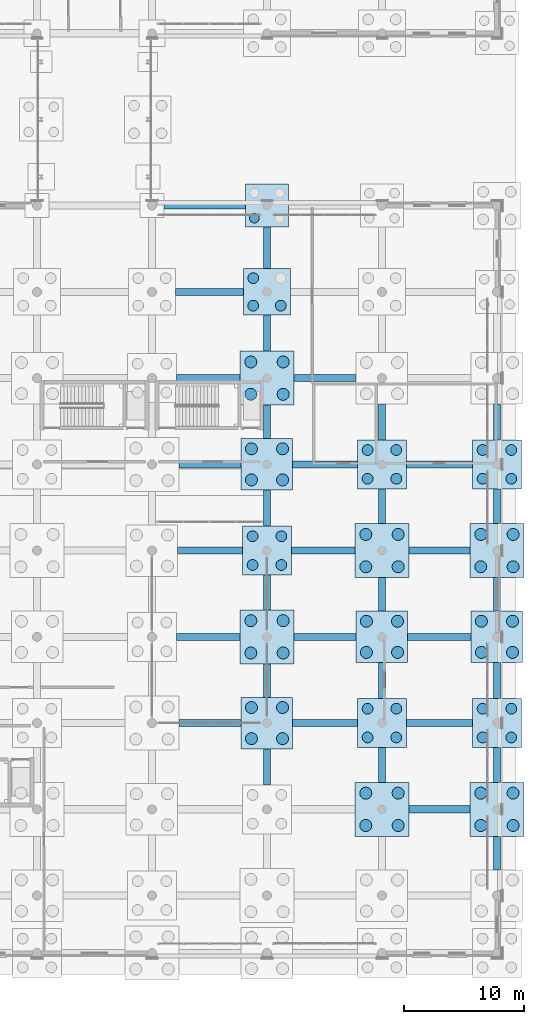
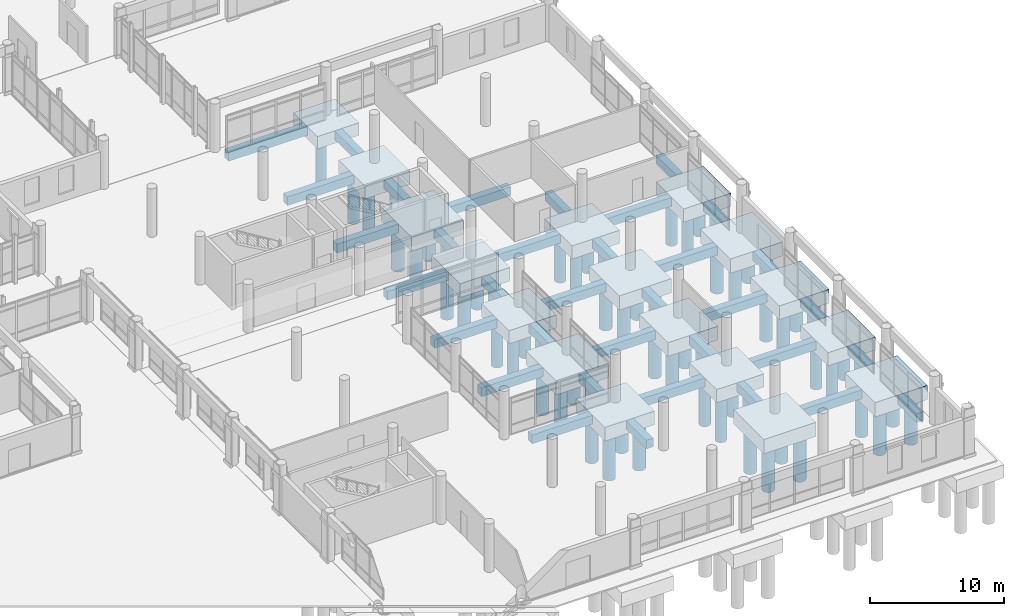
# One storey, part 8 of 196: 64 piles, 52 footings.
"""IFC4 building model written with IfcOpenShell, lengths in metres."""

from ifc_helpers import new_model, si_unit, direction, frame, origin, origin_2d, place, context, subcontext, project, spatial, rectangle, circle, extrude, material, material_profile, profile_set, type_object, element, save


model = new_model("IFC4")

# Units and contexts
model_context = context("Model", 3, precision=1e-05, world=origin(), true_north=direction((0.0, 1.0)))
body_context = subcontext(model_context, "Body", "Model", "MODEL_VIEW")
ifc_project = project(units=[si_unit("LENGTHUNIT", "METRE"), si_unit("AREAUNIT", "SQUARE_METRE"), si_unit("VOLUMEUNIT", "CUBIC_METRE"), si_unit("PLANEANGLEUNIT", "RADIAN"), si_unit("MASSUNIT", "GRAM", prefix="KILO")], contexts=[model_context])

# Site, building, storey
site_placement = place(None, origin())
site = spatial("IfcSite", under=ifc_project, at=site_placement, CompositionType="ELEMENT")
building_placement = place(site_placement, origin())
building = spatial("IfcBuilding", under=site, at=building_placement, Name="Asteropetra Specialist Clinic", CompositionType="ELEMENT")
storey_placement = place(building_placement, origin())
storey = spatial("IfcBuildingStorey", under=building, at=storey_placement, Name="L00", CompositionType="ELEMENT", Elevation=0.0)

# Footings
ifc_material_1 = material(Name="Concrete C35/45", Category="concrete")
ifc_material_profile_1 = material_profile(ifc_material_1, rectangle(XDim=0.60009765625, YDim=0.800048828125, at=origin_2d()), Name="FB 600x800")
ifc_profile_set_1 = profile_set([ifc_material_profile_1], Name="Concrete C35/45")
footing_type_1 = type_object("IfcFootingType", Name="FB-600x800", PredefinedType="FOOTING_BEAM", material=ifc_profile_set_1)
footing_1_placement = place(storey_placement, frame((127.050048828125, 19.199951171875, -0.840087890625), z_axis=(1.0, 0.0, 0.0), x_axis=(0.0, 1.0, 0.0)))
element("IfcFooting", 1, at=footing_1_placement, inside=storey, type_object=footing_type_1, Name="Footing Tie Beam FB-0350", PredefinedType="FOOTING_BEAM", context=body_context, shape_type="SweptSolid", body=[
    extrude(rectangle(XDim=0.60009765625, YDim=0.800048828125, at=origin_2d()), origin(), (0.0, 0.0, 1.0), 5.199951171875),
])
footing_2_placement = place(storey_placement, frame((126.85009765625, 26.39990234375, -0.840087890625), z_axis=(1.0, 0.0, 0.0), x_axis=(0.0, 1.0, 0.0)))
element("IfcFooting", 2, at=footing_2_placement, inside=storey, type_object=footing_type_1, Name="Footing Tie Beam FB-0352", PredefinedType="FOOTING_BEAM", context=body_context, shape_type="SweptSolid", body=[
    extrude(rectangle(XDim=0.60009765625, YDim=0.800048828125, at=origin_2d()), origin(), (0.0, 0.0, 1.0), 5.2998046875),
])
footing_3_placement = place(storey_placement, frame((126.949951171875, 33.60009765625, -0.840087890625), z_axis=(1.0, 0.0, 0.0), x_axis=(0.0, 1.0, 0.0)))
element("IfcFooting", 3, at=footing_3_placement, inside=storey, type_object=footing_type_1, Name="Footing Tie Beam FB-0354", PredefinedType="FOOTING_BEAM", context=body_context, shape_type="SweptSolid", body=[
    extrude(rectangle(XDim=0.60009765625, YDim=0.800048828125, at=origin_2d()), origin(), (0.0, 0.0, 1.0), 5.400146484375),
])
footing_4_placement = place(storey_placement, frame((127.050048828125, 40.800048828125, -0.840087890625), z_axis=(1.0, 0.0, 0.0), x_axis=(0.0, 1.0, 0.0)))
element("IfcFooting", 4, at=footing_4_placement, inside=storey, type_object=footing_type_1, Name="Footing Tie Beam FB-0356", PredefinedType="FOOTING_BEAM", context=body_context, shape_type="SweptSolid", body=[
    extrude(rectangle(XDim=0.60009765625, YDim=0.800048828125, at=origin_2d()), origin(), (0.0, 0.0, 1.0), 5.199951171875),
])
footing_5_placement = place(storey_placement, frame((126.85009765625, 48.0, -0.840087890625), z_axis=(1.0, 0.0, 0.0), x_axis=(0.0, 1.0, 0.0)))
element("IfcFooting", 5, at=footing_5_placement, inside=storey, type_object=footing_type_1, Name="Footing Tie Beam FB-0358", PredefinedType="FOOTING_BEAM", context=body_context, shape_type="SweptSolid", body=[
    extrude(rectangle(XDim=0.60009765625, YDim=0.800048828125, at=origin_2d()), origin(), (0.0, 0.0, 1.0), 5.2998046875),
])
footing_6_placement = place(storey_placement, frame((126.75, 55.199951171875, -0.840087890625), z_axis=(1.0, 0.0, 0.0), x_axis=(0.0, 1.0, 0.0)))
element("IfcFooting", 6, at=footing_6_placement, inside=storey, type_object=footing_type_1, Name="Footing Tie Beam FB-0360", PredefinedType="FOOTING_BEAM", context=body_context, shape_type="SweptSolid", body=[
    extrude(rectangle(XDim=0.60009765625, YDim=0.800048828125, at=origin_2d()), origin(), (0.0, 0.0, 1.0), 5.699951171875),
])
footing_7_placement = place(storey_placement, frame((125.800048828125, 62.39990234375, -0.840087890625), z_axis=(1.0, 0.0, 0.0), x_axis=(0.0, 1.0, 0.0)))
element("IfcFooting", 7, at=footing_7_placement, inside=storey, type_object=footing_type_1, Name="Footing Tie Beam FB-0362", PredefinedType="FOOTING_BEAM", context=body_context, shape_type="SweptSolid", body=[
    extrude(rectangle(XDim=0.60009765625, YDim=0.800048828125, at=origin_2d()), origin(), (0.0, 0.0, 1.0), 6.800048828125),
])
footing_8_placement = place(storey_placement, frame((134.39990234375, 14.050048828125, -0.840087890625), z_axis=(0.0, 1.0, 0.0), x_axis=(-1.0, 0.0, 0.0)))
element("IfcFooting", 8, at=footing_8_placement, inside=storey, type_object=footing_type_1, Name="Footing Tie Beam FB-0373", PredefinedType="FOOTING_BEAM", context=body_context, shape_type="SweptSolid", body=[
    extrude(rectangle(XDim=0.60009765625, YDim=0.800048828125, at=origin_2d()), origin(), (0.0, 0.0, 1.0), 3.0),
])
footing_9_placement = place(storey_placement, frame((136.550048828125, 19.199951171875, -0.840087890625), z_axis=(1.0, 0.0, 0.0), x_axis=(0.0, 1.0, 0.0)))
element("IfcFooting", 9, at=footing_9_placement, inside=storey, type_object=footing_type_1, Name="Footing Tie Beam FB-0374", PredefinedType="FOOTING_BEAM", context=body_context, shape_type="SweptSolid", body=[
    extrude(rectangle(XDim=0.60009765625, YDim=0.800048828125, at=origin_2d()), origin(), (0.0, 0.0, 1.0), 5.39990234375),
])
footing_10_placement = place(storey_placement, frame((134.39990234375, 21.35009765625, -0.840087890625), z_axis=(0.0, 1.0, 0.0), x_axis=(-1.0, 0.0, 0.0)))
element("IfcFooting", 10, at=footing_10_placement, inside=storey, type_object=footing_type_1, Name="Footing Tie Beam FB-0375", PredefinedType="FOOTING_BEAM", context=body_context, shape_type="SweptSolid", body=[
    extrude(rectangle(XDim=0.60009765625, YDim=0.800048828125, at=origin_2d()), origin(), (0.0, 0.0, 1.0), 2.7998046875),
])
footing_11_placement = place(storey_placement, frame((136.64990234375, 26.39990234375, -0.840087890625), z_axis=(1.0, 0.0, 0.0), x_axis=(0.0, 1.0, 0.0)))
element("IfcFooting", 11, at=footing_11_placement, inside=storey, type_object=footing_type_1, Name="Footing Tie Beam FB-0376", PredefinedType="FOOTING_BEAM", context=body_context, shape_type="SweptSolid", body=[
    extrude(rectangle(XDim=0.60009765625, YDim=0.800048828125, at=origin_2d()), origin(), (0.0, 0.0, 1.0), 5.2001953125),
])
footing_12_placement = place(storey_placement, frame((134.39990234375, 28.64990234375, -0.840087890625), z_axis=(0.0, 1.0, 0.0), x_axis=(-1.0, 0.0, 0.0)))
element("IfcFooting", 12, at=footing_12_placement, inside=storey, type_object=footing_type_1, Name="Footing Tie Beam FB-0377", PredefinedType="FOOTING_BEAM", context=body_context, shape_type="SweptSolid", body=[
    extrude(rectangle(XDim=0.60009765625, YDim=0.800048828125, at=origin_2d()), origin(), (0.0, 0.0, 1.0), 2.900146484375),
])
footing_13_placement = place(storey_placement, frame((136.449951171875, 33.60009765625, -0.840087890625), z_axis=(1.0, 0.0, 0.0), x_axis=(0.0, 1.0, 0.0)))
element("IfcFooting", 13, at=footing_13_placement, inside=storey, type_object=footing_type_1, Name="Footing Tie Beam FB-0378", PredefinedType="FOOTING_BEAM", context=body_context, shape_type="SweptSolid", body=[
    extrude(rectangle(XDim=0.60009765625, YDim=0.800048828125, at=origin_2d()), origin(), (0.0, 0.0, 1.0), 5.300048828125),
])
footing_14_placement = place(storey_placement, frame((134.39990234375, 35.64990234375, -0.840087890625), z_axis=(0.0, 1.0, 0.0), x_axis=(-1.0, 0.0, 0.0)))
element("IfcFooting", 14, at=footing_14_placement, inside=storey, type_object=footing_type_1, Name="Footing Tie Beam FB-0379", PredefinedType="FOOTING_BEAM", context=body_context, shape_type="SweptSolid", body=[
    extrude(rectangle(XDim=0.60009765625, YDim=0.800048828125, at=origin_2d()), origin(), (0.0, 0.0, 1.0), 3.0),
])
footing_15_placement = place(storey_placement, frame((136.550048828125, 40.800048828125, -0.840087890625), z_axis=(1.0, 0.0, 0.0), x_axis=(0.0, 1.0, 0.0)))
element("IfcFooting", 15, at=footing_15_placement, inside=storey, type_object=footing_type_1, Name="Footing Tie Beam FB-0380", PredefinedType="FOOTING_BEAM", context=body_context, shape_type="SweptSolid", body=[
    extrude(rectangle(XDim=0.60009765625, YDim=0.800048828125, at=origin_2d()), origin(), (0.0, 0.0, 1.0), 5.39990234375),
])
footing_16_placement = place(storey_placement, frame((134.39990234375, 42.949951171875, -0.840087890625), z_axis=(0.0, 1.0, 0.0), x_axis=(-1.0, 0.0, 0.0)))
element("IfcFooting", 16, at=footing_16_placement, inside=storey, type_object=footing_type_1, Name="Footing Tie Beam FB-0381", PredefinedType="FOOTING_BEAM", context=body_context, shape_type="SweptSolid", body=[
    extrude(rectangle(XDim=0.60009765625, YDim=0.800048828125, at=origin_2d()), origin(), (0.0, 0.0, 1.0), 2.800048828125),
])
footing_17_placement = place(storey_placement, frame((136.64990234375, 48.0, -0.840087890625), z_axis=(1.0, 0.0, 0.0), x_axis=(0.0, 1.0, 0.0)))
element("IfcFooting", 17, at=footing_17_placement, inside=storey, type_object=footing_type_1, Name="Footing Tie Beam FB-0382", PredefinedType="FOOTING_BEAM", context=body_context, shape_type="SweptSolid", body=[
    extrude(rectangle(XDim=0.60009765625, YDim=0.800048828125, at=origin_2d()), origin(), (0.0, 0.0, 1.0), 5.2001953125),
])
footing_18_placement = place(storey_placement, frame((134.39990234375, 50.25, -0.840087890625), z_axis=(0.0, 1.0, 0.0), x_axis=(-1.0, 0.0, 0.0)))
element("IfcFooting", 18, at=footing_18_placement, inside=storey, type_object=footing_type_1, Name="Footing Tie Beam FB-0383", PredefinedType="FOOTING_BEAM", context=body_context, shape_type="SweptSolid", body=[
    extrude(rectangle(XDim=0.60009765625, YDim=0.800048828125, at=origin_2d()), origin(), (0.0, 0.0, 1.0), 3.0),
])
footing_19_placement = place(storey_placement, frame((134.39990234375, 57.14990234375, -0.840087890625), z_axis=(0.0, 1.0, 0.0), x_axis=(-1.0, 0.0, 0.0)))
element("IfcFooting", 19, at=footing_19_placement, inside=storey, type_object=footing_type_1, Name="Footing Tie Beam FB-0385", PredefinedType="FOOTING_BEAM", context=body_context, shape_type="SweptSolid", body=[
    extrude(rectangle(XDim=0.60009765625, YDim=0.800048828125, at=origin_2d()), origin(), (0.0, 0.0, 1.0), 3.4501953125),
])
footing_20_placement = place(storey_placement, frame((146.25, 12.0, -0.840087890625), z_axis=(1.0, 0.0, 0.0), x_axis=(0.0, 1.0, 0.0)))
element("IfcFooting", 20, at=footing_20_placement, inside=storey, type_object=footing_type_1, Name="Footing Tie Beam FB-0396", PredefinedType="FOOTING_BEAM", context=body_context, shape_type="SweptSolid", body=[
    extrude(rectangle(XDim=0.60009765625, YDim=0.800048828125, at=origin_2d()), origin(), (0.0, 0.0, 1.0), 5.10009765625),
])
footing_21_placement = place(storey_placement, frame((144.0, 14.25, -0.840087890625), z_axis=(0.0, 1.0, 0.0), x_axis=(-1.0, 0.0, 0.0)))
element("IfcFooting", 21, at=footing_21_placement, inside=storey, type_object=footing_type_1, Name="Footing Tie Beam FB-0397", PredefinedType="FOOTING_BEAM", context=body_context, shape_type="SweptSolid", body=[
    extrude(rectangle(XDim=0.60009765625, YDim=0.800048828125, at=origin_2d()), origin(), (0.0, 0.0, 1.0), 2.89990234375),
])
footing_22_placement = place(storey_placement, frame((146.050048828125, 19.199951171875, -0.840087890625), z_axis=(1.0, 0.0, 0.0), x_axis=(0.0, 1.0, 0.0)))
element("IfcFooting", 22, at=footing_22_placement, inside=storey, type_object=footing_type_1, Name="Footing Tie Beam FB-0398", PredefinedType="FOOTING_BEAM", context=body_context, shape_type="SweptSolid", body=[
    extrude(rectangle(XDim=0.60009765625, YDim=0.800048828125, at=origin_2d()), origin(), (0.0, 0.0, 1.0), 5.5),
])
footing_23_placement = place(storey_placement, frame((144.0, 21.25, -0.840087890625), z_axis=(0.0, 1.0, 0.0), x_axis=(-1.0, 0.0, 0.0)))
element("IfcFooting", 23, at=footing_23_placement, inside=storey, type_object=footing_type_1, Name="Footing Tie Beam FB-0399", PredefinedType="FOOTING_BEAM", context=body_context, shape_type="SweptSolid", body=[
    extrude(rectangle(XDim=0.60009765625, YDim=0.800048828125, at=origin_2d()), origin(), (0.0, 0.0, 1.0), 3.0),
])
footing_24_placement = place(storey_placement, frame((146.14990234375, 26.39990234375, -0.840087890625), z_axis=(1.0, 0.0, 0.0), x_axis=(0.0, 1.0, 0.0)))
element("IfcFooting", 24, at=footing_24_placement, inside=storey, type_object=footing_type_1, Name="Footing Tie Beam FB-0400", PredefinedType="FOOTING_BEAM", context=body_context, shape_type="SweptSolid", body=[
    extrude(rectangle(XDim=0.60009765625, YDim=0.800048828125, at=origin_2d()), origin(), (0.0, 0.0, 1.0), 5.300048828125),
])
footing_25_placement = place(storey_placement, frame((144.0, 28.550048828125, -0.840087890625), z_axis=(0.0, 1.0, 0.0), x_axis=(-1.0, 0.0, 0.0)))
element("IfcFooting", 25, at=footing_25_placement, inside=storey, type_object=footing_type_1, Name="Footing Tie Beam FB-0401", PredefinedType="FOOTING_BEAM", context=body_context, shape_type="SweptSolid", body=[
    extrude(rectangle(XDim=0.60009765625, YDim=0.800048828125, at=origin_2d()), origin(), (0.0, 0.0, 1.0), 2.800048828125),
])
footing_26_placement = place(storey_placement, frame((146.25, 33.60009765625, -0.840087890625), z_axis=(1.0, 0.0, 0.0), x_axis=(0.0, 1.0, 0.0)))
element("IfcFooting", 26, at=footing_26_placement, inside=storey, type_object=footing_type_1, Name="Footing Tie Beam FB-0402", PredefinedType="FOOTING_BEAM", context=body_context, shape_type="SweptSolid", body=[
    extrude(rectangle(XDim=0.60009765625, YDim=0.800048828125, at=origin_2d()), origin(), (0.0, 0.0, 1.0), 5.10009765625),
])
footing_27_placement = place(storey_placement, frame((144.0, 35.85009765625, -0.840087890625), z_axis=(0.0, 1.0, 0.0), x_axis=(-1.0, 0.0, 0.0)))
element("IfcFooting", 27, at=footing_27_placement, inside=storey, type_object=footing_type_1, Name="Footing Tie Beam FB-0403", PredefinedType="FOOTING_BEAM", context=body_context, shape_type="SweptSolid", body=[
    extrude(rectangle(XDim=0.60009765625, YDim=0.800048828125, at=origin_2d()), origin(), (0.0, 0.0, 1.0), 2.89990234375),
])
footing_28_placement = place(storey_placement, frame((146.050048828125, 40.800048828125, -0.840087890625), z_axis=(1.0, 0.0, 0.0), x_axis=(0.0, 1.0, 0.0)))
element("IfcFooting", 28, at=footing_28_placement, inside=storey, type_object=footing_type_1, Name="Footing Tie Beam FB-0404", PredefinedType="FOOTING_BEAM", context=body_context, shape_type="SweptSolid", body=[
    extrude(rectangle(XDim=0.60009765625, YDim=0.800048828125, at=origin_2d()), origin(), (0.0, 0.0, 1.0), 5.5),
])
footing_29_placement = place(storey_placement, frame((144.0, 42.85009765625, -0.840087890625), z_axis=(0.0, 1.0, 0.0), x_axis=(-1.0, 0.0, 0.0)))
element("IfcFooting", 29, at=footing_29_placement, inside=storey, type_object=footing_type_1, Name="Footing Tie Beam FB-0405", PredefinedType="FOOTING_BEAM", context=body_context, shape_type="SweptSolid", body=[
    extrude(rectangle(XDim=0.60009765625, YDim=0.800048828125, at=origin_2d()), origin(), (0.0, 0.0, 1.0), 3.0),
])
footing_30_placement = place(storey_placement, frame((153.60009765625, 6.949951171875, -0.840087890625), z_axis=(0.0, 1.0, 0.0), x_axis=(-1.0, 0.0, 0.0)))
element("IfcFooting", 30, at=footing_30_placement, inside=storey, type_object=footing_type_1, Name="Footing Tie Beam FB-0420", PredefinedType="FOOTING_BEAM", context=body_context, shape_type="SweptSolid", body=[
    extrude(rectangle(XDim=0.60009765625, YDim=0.800048828125, at=origin_2d()), origin(), (0.0, 0.0, 1.0), 2.800048828125),
])
footing_31_placement = place(storey_placement, frame((153.60009765625, 14.25, -0.840087890625), z_axis=(0.0, 1.0, 0.0), x_axis=(-1.0, 0.0, 0.0)))
element("IfcFooting", 31, at=footing_31_placement, inside=storey, type_object=footing_type_1, Name="Footing Tie Beam FB-0421", PredefinedType="FOOTING_BEAM", context=body_context, shape_type="SweptSolid", body=[
    extrude(rectangle(XDim=0.60009765625, YDim=0.800048828125, at=origin_2d()), origin(), (0.0, 0.0, 1.0), 2.89990234375),
])
footing_32_placement = place(storey_placement, frame((153.60009765625, 21.25, -0.840087890625), z_axis=(0.0, 1.0, 0.0), x_axis=(-1.0, 0.0, 0.0)))
element("IfcFooting", 32, at=footing_32_placement, inside=storey, type_object=footing_type_1, Name="Footing Tie Beam FB-0422", PredefinedType="FOOTING_BEAM", context=body_context, shape_type="SweptSolid", body=[
    extrude(rectangle(XDim=0.60009765625, YDim=0.800048828125, at=origin_2d()), origin(), (0.0, 0.0, 1.0), 3.0),
])
footing_33_placement = place(storey_placement, frame((153.60009765625, 28.550048828125, -0.840087890625), z_axis=(0.0, 1.0, 0.0), x_axis=(-1.0, 0.0, 0.0)))
element("IfcFooting", 33, at=footing_33_placement, inside=storey, type_object=footing_type_1, Name="Footing Tie Beam FB-0423", PredefinedType="FOOTING_BEAM", context=body_context, shape_type="SweptSolid", body=[
    extrude(rectangle(XDim=0.60009765625, YDim=0.800048828125, at=origin_2d()), origin(), (0.0, 0.0, 1.0), 2.800048828125),
])
footing_34_placement = place(storey_placement, frame((153.60009765625, 35.85009765625, -0.840087890625), z_axis=(0.0, 1.0, 0.0), x_axis=(-1.0, 0.0, 0.0)))
element("IfcFooting", 34, at=footing_34_placement, inside=storey, type_object=footing_type_1, Name="Footing Tie Beam FB-0424", PredefinedType="FOOTING_BEAM", context=body_context, shape_type="SweptSolid", body=[
    extrude(rectangle(XDim=0.60009765625, YDim=0.800048828125, at=origin_2d()), origin(), (0.0, 0.0, 1.0), 2.89990234375),
])
footing_35_placement = place(storey_placement, frame((153.60009765625, 42.85009765625, -0.840087890625), z_axis=(0.0, 1.0, 0.0), x_axis=(-1.0, 0.0, 0.0)))
element("IfcFooting", 35, at=footing_35_placement, inside=storey, type_object=footing_type_1, Name="Footing Tie Beam FB-0425", PredefinedType="FOOTING_BEAM", context=body_context, shape_type="SweptSolid", body=[
    extrude(rectangle(XDim=0.60009765625, YDim=0.800048828125, at=origin_2d()), origin(), (0.0, 0.0, 1.0), 3.0),
])
ifc_material_2 = material(Name="Concrete C35/45", Category="concrete")
footing_type_2 = type_object("IfcFootingType", Name="PC-2800", PredefinedType="PILE_CAP", material=ifc_material_2)
footing_36_placement = place(storey_placement, frame((134.39990234375, 62.39990234375, -1.58984375), z_axis=(0.0, 0.0, 1.0), x_axis=(1.0, 0.0, 0.0)))
element("IfcFooting", 36, at=footing_36_placement, inside=storey, type_object=footing_type_2, Name="Pile Cap PC-02-256", PredefinedType="PILE_CAP", context=body_context, shape_type="SweptSolid", body=[
    extrude(rectangle(XDim=3.60009765625, YDim=3.60009765625, at=origin_2d()), origin(), (0.0, 0.0, 1.0), 1.14990234375),
])
ifc_material_3 = material(Name="Concrete C35/45", Category="concrete")
footing_type_3 = type_object("IfcFootingType", Name="PC-3000", PredefinedType="PILE_CAP", material=ifc_material_3)
footing_37_placement = place(storey_placement, frame((134.39990234375, 55.199951171875, -1.64013671875), z_axis=(0.0, 0.0, 1.0), x_axis=(1.0, 0.0, 0.0)))
element("IfcFooting", 37, at=footing_37_placement, inside=storey, type_object=footing_type_3, Name="Pile Cap PC-03-255", PredefinedType="PILE_CAP", context=body_context, shape_type="SweptSolid", body=[
    extrude(rectangle(XDim=3.89990234375, YDim=3.89990234375, at=origin_2d()), origin(), (0.0, 0.0, 1.0), 1.199951171875),
])
ifc_material_4 = material(Name="Concrete C35/45", Category="concrete")
footing_type_4 = type_object("IfcFootingType", Name="PC-3200", PredefinedType="PILE_CAP", material=ifc_material_4)
for number, where, z_axis, x_axis, name in (
    (38, (134.39990234375, 33.60009765625, -1.64013671875), (0.0, 0.0, 1.0), (1.0, 0.0, 0.0), "Pile Cap PC-04-252"),
    (39, (144.0, 19.199951171875, -1.64013671875), (0.0, 0.0, 1.0), (1.0, 0.0, 0.0), "Pile Cap PC-04-264"),
    (40, (144.0, 40.800048828125, -1.64013671875), (0.0, 0.0, 1.0), (1.0, 0.0, 0.0), "Pile Cap PC-04-267"),
    (41, (153.60009765625, 19.199951171875, -1.64013671875), (0.0, 0.0, 1.0), (1.0, 0.0, 0.0), "Pile Cap PC-04-279"),
    (42, (153.60009765625, 40.800048828125, -1.64013671875), (0.0, 0.0, 1.0), (1.0, 0.0, 0.0), "Pile Cap PC-04-282"),
):
    element("IfcFooting", number, at=place(storey_placement, frame(where, z_axis=z_axis, x_axis=x_axis)), inside=storey, type_object=footing_type_4, Name=name, PredefinedType="PILE_CAP", context=body_context, shape_type="SweptSolid", body=[
        extrude(rectangle(XDim=4.10009765625, YDim=4.10009765625, at=origin_2d()), origin(), (0.0, 0.0, 1.0), 1.199951171875),
    ])
ifc_material_5 = material(Name="Concrete C35/45", Category="concrete")
footing_type_5 = type_object("IfcFootingType", Name="PC-3400", PredefinedType="PILE_CAP", material=ifc_material_5)
for number, where, z_axis, x_axis, name in (
    (43, (134.39990234375, 19.199951171875, -1.68994140625), (0.0, 0.0, 1.0), (1.0, 0.0, 0.0), "Pile Cap PC-05-250"),
    (44, (134.39990234375, 40.800048828125, -1.68994140625), (0.0, 0.0, 1.0), (1.0, 0.0, 0.0), "Pile Cap PC-05-253"),
    (45, (144.0, 26.39990234375, -1.68994140625), (0.0, 0.0, 1.0), (1.0, 0.0, 0.0), "Pile Cap PC-05-265"),
    (46, (153.60009765625, 26.39990234375, -1.68994140625), (0.0, 0.0, 1.0), (1.0, 0.0, 0.0), "Pile Cap PC-05-280"),
):
    element("IfcFooting", number, at=place(storey_placement, frame(where, z_axis=z_axis, x_axis=x_axis)), inside=storey, type_object=footing_type_5, Name=name, PredefinedType="PILE_CAP", context=body_context, shape_type="SweptSolid", body=[
        extrude(rectangle(XDim=4.300048828125, YDim=4.300048828125, at=origin_2d()), origin(), (0.0, 0.0, 1.0), 1.25),
    ])
ifc_material_6 = material(Name="Concrete C35/45", Category="concrete")
footing_type_6 = type_object("IfcFootingType", Name="PC-3600", PredefinedType="PILE_CAP", material=ifc_material_6)
for number, where, z_axis, x_axis, name in (
    (47, (134.39990234375, 26.39990234375, -1.740234375), (0.0, 0.0, 1.0), (1.0, 0.0, 0.0), "Pile Cap PC-06-251"),
    (48, (134.39990234375, 48.0, -1.740234375), (0.0, 0.0, 1.0), (1.0, 0.0, 0.0), "Pile Cap PC-06-254"),
    (49, (144.0, 12.0, -1.740234375), (0.0, 0.0, 1.0), (1.0, 0.0, 0.0), "Pile Cap PC-06-263"),
    (50, (144.0, 33.60009765625, -1.740234375), (0.0, 0.0, 1.0), (1.0, 0.0, 0.0), "Pile Cap PC-06-266"),
    (51, (153.60009765625, 12.0, -1.740234375), (0.0, 0.0, 1.0), (1.0, 0.0, 0.0), "Pile Cap PC-06-278"),
    (52, (153.60009765625, 33.60009765625, -1.740234375), (0.0, 0.0, 1.0), (1.0, 0.0, 0.0), "Pile Cap PC-06-281"),
):
    element("IfcFooting", number, at=place(storey_placement, frame(where, z_axis=z_axis, x_axis=x_axis)), inside=storey, type_object=footing_type_6, Name=name, PredefinedType="PILE_CAP", context=body_context, shape_type="SweptSolid", body=[
        extrude(rectangle(XDim=4.5, YDim=4.5, at=origin_2d()), origin(), (0.0, 0.0, 1.0), 1.300048828125),
    ])

# Piles
ifc_material_7 = material(Name="Concrete C35/45", Category="concrete")
ifc_material_profile_2 = material_profile(ifc_material_7, circle(Radius=0.5, at=origin_2d()), Name="PILE D1000")
ifc_profile_set_2 = profile_set([ifc_material_profile_2], Name="Concrete C35/45")
pile_type_1 = type_object("IfcPileType", Name="PILE-B1000", PredefinedType="BORED", material=ifc_profile_set_2)
for number, where, z_axis, x_axis, name in (
    (53, (133.10009765625, 17.89990234375, -1.590087890625), (0.0, 0.0, -1.0), (1.0, 0.0, 0.0), "Bored Pile PPL03-250-1"),
    (54, (135.699951171875, 17.89990234375, -1.590087890625), (0.0, 0.0, -1.0), (1.0, 0.0, 0.0), "Bored Pile PPL03-250-2"),
    (55, (133.10009765625, 20.5, -1.590087890625), (0.0, 0.0, -1.0), (1.0, 0.0, 0.0), "Bored Pile PPL03-250-3"),
    (56, (135.699951171875, 20.5, -1.590087890625), (0.0, 0.0, -1.0), (1.0, 0.0, 0.0), "Bored Pile PPL03-250-4"),
):
    element("IfcPile", number, at=place(storey_placement, frame(where, z_axis=z_axis, x_axis=x_axis)), inside=storey, type_object=pile_type_1, Name=name, PredefinedType="BORED", context=body_context, shape_type="SweptSolid", body=[
        extrude(circle(Radius=0.5, at=origin_2d()), origin(), (0.0, 0.0, 1.0), 4.2099609375),
    ])
for number, where, z_axis, x_axis, name in (
    (57, (133.050048828125, 25.050048828125, -1.639892578125), (0.0, 0.0, -1.0), (1.0, 0.0, 0.0), "Bored Pile PPL03-251-1"),
    (58, (135.75, 25.050048828125, -1.639892578125), (0.0, 0.0, -1.0), (1.0, 0.0, 0.0), "Bored Pile PPL03-251-2"),
    (59, (133.050048828125, 27.75, -1.639892578125), (0.0, 0.0, -1.0), (1.0, 0.0, 0.0), "Bored Pile PPL03-251-3"),
    (60, (135.75, 27.75, -1.639892578125), (0.0, 0.0, -1.0), (1.0, 0.0, 0.0), "Bored Pile PPL03-251-4"),
):
    element("IfcPile", number, at=place(storey_placement, frame(where, z_axis=z_axis, x_axis=x_axis)), inside=storey, type_object=pile_type_1, Name=name, PredefinedType="BORED", context=body_context, shape_type="SweptSolid", body=[
        extrude(circle(Radius=0.5, at=origin_2d()), origin(), (0.0, 0.0, 1.0), 4.159912109375),
    ])
for number, where, z_axis, x_axis, name in (
    (61, (133.10009765625, 39.5, -1.590087890625), (0.0, 0.0, -1.0), (1.0, 0.0, 0.0), "Bored Pile PPL03-253-1"),
    (62, (135.699951171875, 39.5, -1.590087890625), (0.0, 0.0, -1.0), (1.0, 0.0, 0.0), "Bored Pile PPL03-253-2"),
    (63, (133.10009765625, 42.10009765625, -1.590087890625), (0.0, 0.0, -1.0), (1.0, 0.0, 0.0), "Bored Pile PPL03-253-3"),
    (64, (135.699951171875, 42.10009765625, -1.590087890625), (0.0, 0.0, -1.0), (1.0, 0.0, 0.0), "Bored Pile PPL03-253-4"),
):
    element("IfcPile", number, at=place(storey_placement, frame(where, z_axis=z_axis, x_axis=x_axis)), inside=storey, type_object=pile_type_1, Name=name, PredefinedType="BORED", context=body_context, shape_type="SweptSolid", body=[
        extrude(circle(Radius=0.5, at=origin_2d()), origin(), (0.0, 0.0, 1.0), 4.2099609375),
    ])
for number, where, z_axis, x_axis, name in (
    (65, (133.050048828125, 46.64990234375, -1.639892578125), (0.0, 0.0, -1.0), (1.0, 0.0, 0.0), "Bored Pile PPL03-254-1"),
    (66, (135.75, 46.64990234375, -1.639892578125), (0.0, 0.0, -1.0), (1.0, 0.0, 0.0), "Bored Pile PPL03-254-2"),
    (67, (133.050048828125, 49.35009765625, -1.639892578125), (0.0, 0.0, -1.0), (1.0, 0.0, 0.0), "Bored Pile PPL03-254-3"),
    (68, (135.75, 49.35009765625, -1.639892578125), (0.0, 0.0, -1.0), (1.0, 0.0, 0.0), "Bored Pile PPL03-254-4"),
    (69, (142.64990234375, 10.64990234375, -1.639892578125), (0.0, 0.0, -1.0), (1.0, 0.0, 0.0), "Bored Pile PPL03-263-1"),
    (70, (145.35009765625, 10.64990234375, -1.639892578125), (0.0, 0.0, -1.0), (1.0, 0.0, 0.0), "Bored Pile PPL03-263-2"),
    (71, (142.64990234375, 13.35009765625, -1.639892578125), (0.0, 0.0, -1.0), (1.0, 0.0, 0.0), "Bored Pile PPL03-263-3"),
    (72, (145.35009765625, 13.35009765625, -1.639892578125), (0.0, 0.0, -1.0), (1.0, 0.0, 0.0), "Bored Pile PPL03-263-4"),
):
    element("IfcPile", number, at=place(storey_placement, frame(where, z_axis=z_axis, x_axis=x_axis)), inside=storey, type_object=pile_type_1, Name=name, PredefinedType="BORED", context=body_context, shape_type="SweptSolid", body=[
        extrude(circle(Radius=0.5, at=origin_2d()), origin(), (0.0, 0.0, 1.0), 4.159912109375),
    ])
for number, where, z_axis, x_axis, name in (
    (73, (142.699951171875, 25.10009765625, -1.590087890625), (0.0, 0.0, -1.0), (1.0, 0.0, 0.0), "Bored Pile PPL03-265-1"),
    (74, (145.300048828125, 25.10009765625, -1.590087890625), (0.0, 0.0, -1.0), (1.0, 0.0, 0.0), "Bored Pile PPL03-265-2"),
    (75, (142.699951171875, 27.699951171875, -1.590087890625), (0.0, 0.0, -1.0), (1.0, 0.0, 0.0), "Bored Pile PPL03-265-3"),
    (76, (145.300048828125, 27.699951171875, -1.590087890625), (0.0, 0.0, -1.0), (1.0, 0.0, 0.0), "Bored Pile PPL03-265-4"),
):
    element("IfcPile", number, at=place(storey_placement, frame(where, z_axis=z_axis, x_axis=x_axis)), inside=storey, type_object=pile_type_1, Name=name, PredefinedType="BORED", context=body_context, shape_type="SweptSolid", body=[
        extrude(circle(Radius=0.5, at=origin_2d()), origin(), (0.0, 0.0, 1.0), 4.2099609375),
    ])
for number, where, z_axis, x_axis, name in (
    (77, (142.64990234375, 32.25, -1.639892578125), (0.0, 0.0, -1.0), (1.0, 0.0, 0.0), "Bored Pile PPL03-266-1"),
    (78, (145.35009765625, 32.25, -1.639892578125), (0.0, 0.0, -1.0), (1.0, 0.0, 0.0), "Bored Pile PPL03-266-2"),
    (79, (142.64990234375, 34.949951171875, -1.639892578125), (0.0, 0.0, -1.0), (1.0, 0.0, 0.0), "Bored Pile PPL03-266-3"),
    (80, (145.35009765625, 34.949951171875, -1.639892578125), (0.0, 0.0, -1.0), (1.0, 0.0, 0.0), "Bored Pile PPL03-266-4"),
    (81, (152.25, 10.64990234375, -1.639892578125), (0.0, 0.0, -1.0), (1.0, 0.0, 0.0), "Bored Pile PPL03-278-1"),
    (82, (154.949951171875, 10.64990234375, -1.639892578125), (0.0, 0.0, -1.0), (1.0, 0.0, 0.0), "Bored Pile PPL03-278-2"),
    (83, (152.25, 13.35009765625, -1.639892578125), (0.0, 0.0, -1.0), (1.0, 0.0, 0.0), "Bored Pile PPL03-278-3"),
    (84, (154.949951171875, 13.35009765625, -1.639892578125), (0.0, 0.0, -1.0), (1.0, 0.0, 0.0), "Bored Pile PPL03-278-4"),
):
    element("IfcPile", number, at=place(storey_placement, frame(where, z_axis=z_axis, x_axis=x_axis)), inside=storey, type_object=pile_type_1, Name=name, PredefinedType="BORED", context=body_context, shape_type="SweptSolid", body=[
        extrude(circle(Radius=0.5, at=origin_2d()), origin(), (0.0, 0.0, 1.0), 4.159912109375),
    ])
for number, where, z_axis, x_axis, name in (
    (85, (152.300048828125, 25.10009765625, -1.590087890625), (0.0, 0.0, -1.0), (1.0, 0.0, 0.0), "Bored Pile PPL03-280-1"),
    (86, (154.89990234375, 25.10009765625, -1.590087890625), (0.0, 0.0, -1.0), (1.0, 0.0, 0.0), "Bored Pile PPL03-280-2"),
    (87, (152.300048828125, 27.699951171875, -1.590087890625), (0.0, 0.0, -1.0), (1.0, 0.0, 0.0), "Bored Pile PPL03-280-3"),
    (88, (154.89990234375, 27.699951171875, -1.590087890625), (0.0, 0.0, -1.0), (1.0, 0.0, 0.0), "Bored Pile PPL03-280-4"),
):
    element("IfcPile", number, at=place(storey_placement, frame(where, z_axis=z_axis, x_axis=x_axis)), inside=storey, type_object=pile_type_1, Name=name, PredefinedType="BORED", context=body_context, shape_type="SweptSolid", body=[
        extrude(circle(Radius=0.5, at=origin_2d()), origin(), (0.0, 0.0, 1.0), 4.2099609375),
    ])
for number, where, z_axis, x_axis, name in (
    (89, (152.25, 32.25, -1.639892578125), (0.0, 0.0, -1.0), (1.0, 0.0, 0.0), "Bored Pile PPL03-281-1"),
    (90, (154.949951171875, 32.25, -1.639892578125), (0.0, 0.0, -1.0), (1.0, 0.0, 0.0), "Bored Pile PPL03-281-2"),
    (91, (152.25, 34.949951171875, -1.639892578125), (0.0, 0.0, -1.0), (1.0, 0.0, 0.0), "Bored Pile PPL03-281-3"),
    (92, (154.949951171875, 34.949951171875, -1.639892578125), (0.0, 0.0, -1.0), (1.0, 0.0, 0.0), "Bored Pile PPL03-281-4"),
):
    element("IfcPile", number, at=place(storey_placement, frame(where, z_axis=z_axis, x_axis=x_axis)), inside=storey, type_object=pile_type_1, Name=name, PredefinedType="BORED", context=body_context, shape_type="SweptSolid", body=[
        extrude(circle(Radius=0.5, at=origin_2d()), origin(), (0.0, 0.0, 1.0), 4.159912109375),
    ])
ifc_material_8 = material(Name="Concrete C35/45", Category="concrete")
ifc_material_profile_3 = material_profile(ifc_material_8, circle(Radius=0.39990234375, at=origin_2d()), Name="PILE D800")
ifc_profile_set_3 = profile_set([ifc_material_profile_3], Name="Concrete C35/45")
pile_type_2 = type_object("IfcPileType", Name="PILE-B800", PredefinedType="BORED", material=ifc_profile_set_3)
pile_placement = place(storey_placement, frame((133.35009765625, 61.35009765625, -1.489990234375), z_axis=(0.0, 0.0, -1.0), x_axis=(1.0, 0.0, 0.0)))
element("IfcPile", 93, at=pile_placement, inside=storey, type_object=pile_type_2, Name="Bored Pile PPL01-256-1", PredefinedType="BORED", context=body_context, shape_type="SweptSolid", body=[
    extrude(circle(Radius=0.39990234375, at=origin_2d()), origin(), (0.0, 0.0, 1.0), 4.31005859375),
])
ifc_material_9 = material(Name="Concrete C35/45", Category="concrete")
ifc_material_profile_4 = material_profile(ifc_material_9, circle(Radius=0.449951171875, at=origin_2d()), Name="PILE D900")
ifc_profile_set_4 = profile_set([ifc_material_profile_4], Name="Concrete C35/45")
pile_type_3 = type_object("IfcPileType", Name="PILE-B900", PredefinedType="BORED", material=ifc_profile_set_4)
for number, where, z_axis, x_axis, name in (
    (94, (133.199951171875, 32.39990234375, -1.5400390625), (0.0, 0.0, -1.0), (1.0, 0.0, 0.0), "Bored Pile PPL02-252-1"),
    (95, (135.60009765625, 32.39990234375, -1.5400390625), (0.0, 0.0, -1.0), (1.0, 0.0, 0.0), "Bored Pile PPL02-252-2"),
    (96, (133.199951171875, 34.800048828125, -1.5400390625), (0.0, 0.0, -1.0), (1.0, 0.0, 0.0), "Bored Pile PPL02-252-3"),
    (97, (135.60009765625, 34.800048828125, -1.5400390625), (0.0, 0.0, -1.0), (1.0, 0.0, 0.0), "Bored Pile PPL02-252-4"),
    (98, (133.25, 54.050048828125, -1.5400390625), (0.0, 0.0, -1.0), (1.0, 0.0, 0.0), "Bored Pile PPL02-255-1"),
    (99, (135.550048828125, 54.050048828125, -1.5400390625), (0.0, 0.0, -1.0), (1.0, 0.0, 0.0), "Bored Pile PPL02-255-2"),
    (100, (133.25, 56.35009765625, -1.5400390625), (0.0, 0.0, -1.0), (1.0, 0.0, 0.0), "Bored Pile PPL02-255-3"),
    (101, (142.800048828125, 18.0, -1.5400390625), (0.0, 0.0, -1.0), (1.0, 0.0, 0.0), "Bored Pile PPL02-264-1"),
    (102, (145.199951171875, 18.0, -1.5400390625), (0.0, 0.0, -1.0), (1.0, 0.0, 0.0), "Bored Pile PPL02-264-2"),
    (103, (142.800048828125, 20.39990234375, -1.5400390625), (0.0, 0.0, -1.0), (1.0, 0.0, 0.0), "Bored Pile PPL02-264-3"),
    (104, (145.199951171875, 20.39990234375, -1.5400390625), (0.0, 0.0, -1.0), (1.0, 0.0, 0.0), "Bored Pile PPL02-264-4"),
    (105, (142.800048828125, 39.60009765625, -1.5400390625), (0.0, 0.0, -1.0), (1.0, 0.0, 0.0), "Bored Pile PPL02-267-1"),
    (106, (145.199951171875, 39.60009765625, -1.5400390625), (0.0, 0.0, -1.0), (1.0, 0.0, 0.0), "Bored Pile PPL02-267-2"),
    (107, (142.800048828125, 42.0, -1.5400390625), (0.0, 0.0, -1.0), (1.0, 0.0, 0.0), "Bored Pile PPL02-267-3"),
    (108, (145.199951171875, 42.0, -1.5400390625), (0.0, 0.0, -1.0), (1.0, 0.0, 0.0), "Bored Pile PPL02-267-4"),
    (109, (152.39990234375, 18.0, -1.5400390625), (0.0, 0.0, -1.0), (1.0, 0.0, 0.0), "Bored Pile PPL02-279-1"),
    (110, (154.800048828125, 18.0, -1.5400390625), (0.0, 0.0, -1.0), (1.0, 0.0, 0.0), "Bored Pile PPL02-279-2"),
    (111, (152.39990234375, 20.39990234375, -1.5400390625), (0.0, 0.0, -1.0), (1.0, 0.0, 0.0), "Bored Pile PPL02-279-3"),
    (112, (154.800048828125, 20.39990234375, -1.5400390625), (0.0, 0.0, -1.0), (1.0, 0.0, 0.0), "Bored Pile PPL02-279-4"),
    (113, (152.39990234375, 39.60009765625, -1.5400390625), (0.0, 0.0, -1.0), (1.0, 0.0, 0.0), "Bored Pile PPL02-282-1"),
    (114, (154.800048828125, 39.60009765625, -1.5400390625), (0.0, 0.0, -1.0), (1.0, 0.0, 0.0), "Bored Pile PPL02-282-2"),
    (115, (152.39990234375, 42.0, -1.5400390625), (0.0, 0.0, -1.0), (1.0, 0.0, 0.0), "Bored Pile PPL02-282-3"),
    (116, (154.800048828125, 42.0, -1.5400390625), (0.0, 0.0, -1.0), (1.0, 0.0, 0.0), "Bored Pile PPL02-282-4"),
):
    element("IfcPile", number, at=place(storey_placement, frame(where, z_axis=z_axis, x_axis=x_axis)), inside=storey, type_object=pile_type_3, Name=name, PredefinedType="BORED", context=body_context, shape_type="SweptSolid", body=[
        extrude(circle(Radius=0.449951171875, at=origin_2d()), origin(), (0.0, 0.0, 1.0), 4.260009765625),
    ])

save(model, "model.ifc")
